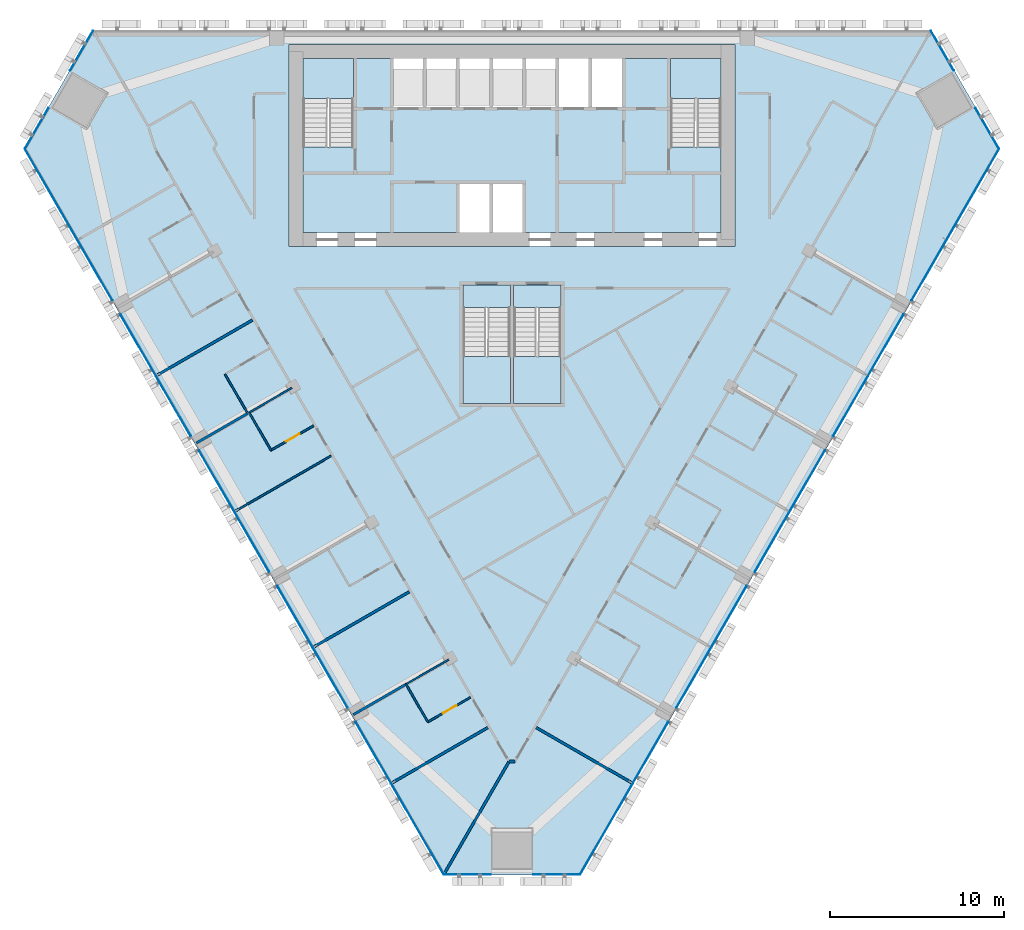
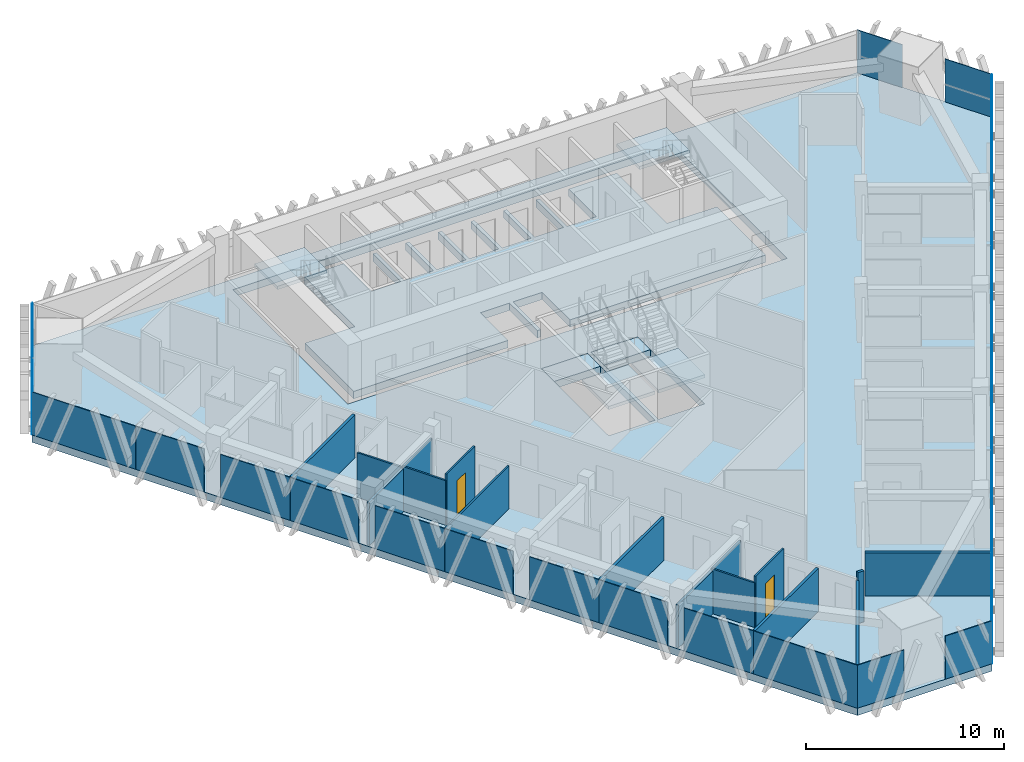
# One storey, part 8 of 16: 26 plates, 16 walls, 8 slabs, 2 doors, 2 openings, 9 elements without a shape of their own.
"""IFC4 building model written with IfcOpenShell, lengths in metres."""

import ifcopenshell
import ifcopenshell.guid

model = None  # the IFC model being written
_history = None  # IfcOwnerHistory: only IFC2X3 demands one
_inside = {}  # id of a spatial element -> (the spatial element, [elements in it])
_under = {}  # id of a project, library or spatial element -> (it, [spatial elements below it])
_declared = {}  # id of a project -> (the project, [libraries it declares])
_typed = {}  # id of a type object -> (the type object, [elements of that type])
_made_of = {}  # id of a material, layer set ... -> (it, [elements and type objects made of it])


def new_model(schema):
    """Start an empty IFC model of exactly this schema.

    Asked for "IFC4X3", IfcOpenShell would pick the latest addendum, in which some entities
    have other attributes; the version numbers below select the first issue.
    IFC2X3 requires an IfcOwnerHistory on every rooted entity: one is made here for all.
    """
    global model, _history
    if schema == "IFC4X3":
        model = ifcopenshell.file(schema_version=(4, 3, 0, 0))
    else:
        model = ifcopenshell.file(schema=schema)
    _inside.clear()
    _under.clear()
    _declared.clear()
    _typed.clear()
    _made_of.clear()
    _history = None
    if model.schema == "IFC2X3":
        org = make("IfcOrganization", Name="unknown")
        user = make(
            "IfcPersonAndOrganization",
            ThePerson=make("IfcPerson", FamilyName="unknown"),
            TheOrganization=org,
        )
        app = make(
            "IfcApplication",
            ApplicationDeveloper=org,
            Version="unknown",
            ApplicationFullName="unknown",
            ApplicationIdentifier="unknown",
        )
        _history = make(
            "IfcOwnerHistory",
            OwningUser=user,
            OwningApplication=app,
            ChangeAction="ADDED",
            CreationDate=0,
        )
    return model


def make(cls, **values):
    """One entity of the class cls with the attributes given. An attribute that is None is left unset."""
    return model.create_entity(
        cls, **{name: value for name, value in values.items() if value is not None}
    )


def rooted(cls, **values):
    """An entity with a GlobalId (a new one), such as an element, a storey or a relation."""
    return make(cls, GlobalId=ifcopenshell.guid.new(), OwnerHistory=_history, **values)


def si_unit(unit_type, name, prefix=None):
    """IfcSIUnit, for example si_unit("LENGTHUNIT", "METRE", prefix="MILLI")."""
    return make("IfcSIUnit", UnitType=unit_type, Prefix=prefix, Name=name)


def assignment(units):
    """IfcUnitAssignment: the units of a project."""
    return None if units is None else make("IfcUnitAssignment", Units=units)


def point(xyz):
    """IfcCartesianPoint."""
    return None if xyz is None else make("IfcCartesianPoint", Coordinates=xyz)


def direction(xyz):
    """IfcDirection."""
    return None if xyz is None else make("IfcDirection", DirectionRatios=xyz)


def frame(location, z_axis=None, x_axis=None):
    """IfcAxis2Placement3D, a coordinate frame: its origin and axes. An axis left out is left unset."""
    return make(
        "IfcAxis2Placement3D",
        Location=point(location),
        Axis=direction(z_axis),
        RefDirection=direction(x_axis),
    )


def frame_2d(location, x_axis=None):
    """IfcAxis2Placement2D, a coordinate frame in the plane: its origin and x axis."""
    return make(
        "IfcAxis2Placement2D", Location=point(location), RefDirection=direction(x_axis)
    )


def origin():
    """The frame at (0, 0, 0) with its axes left unset."""
    return frame((0.0, 0.0, 0.0))


def origin_2d():
    """The frame at (0, 0) in the plane with its x axis left unset."""
    return frame_2d((0.0, 0.0))


def place(relative_to, where):
    """IfcLocalPlacement: puts the frame where relative to a parent placement (None: the world)."""
    return make(
        "IfcLocalPlacement", PlacementRelTo=relative_to, RelativePlacement=where
    )


def context(
    kind, dimensions, precision=None, world=None, true_north=None, identifier=None
):
    """IfcGeometricRepresentationContext, for example the 3D "Model" context."""
    return make(
        "IfcGeometricRepresentationContext",
        ContextIdentifier=identifier,
        ContextType=kind,
        CoordinateSpaceDimension=dimensions,
        Precision=precision,
        WorldCoordinateSystem=world,
        TrueNorth=true_north,
    )


def subcontext(parent, identifier, kind, view, scale=None):
    """IfcGeometricRepresentationSubContext, for example "Body" below "Model"."""
    return make(
        "IfcGeometricRepresentationSubContext",
        ContextIdentifier=identifier,
        ContextType=kind,
        ParentContext=parent,
        TargetScale=scale,
        TargetView=view,
    )


def project(units=None, contexts=None):
    """IfcProject with its units and contexts."""
    return rooted(
        "IfcProject",
        Name="project",
        RepresentationContexts=contexts,
        UnitsInContext=assignment(units),
    )


def spatial(cls, under=None, at=None, **own):
    """A site, building, storey or space (cls), placed at a placement, below another one or the project."""
    s = rooted(cls, ObjectPlacement=at, **own)
    if under is not None:
        _under.setdefault(under.id(), (under, []))[1].append(s)
    return s


def polyline(points):
    """IfcPolyline through the points."""
    return make("IfcPolyline", Points=[point(p) for p in points])


def profile(cls, at=None, kind="AREA", **sizes):
    """A parametric profile (cls). Its sizes go by their IFC names, for example OverallWidth=200.0."""
    return make(cls, ProfileType=kind, Position=at, **sizes)


def rectangle(**sizes):
    """IfcRectangleProfileDef."""
    return profile("IfcRectangleProfileDef", **sizes)


def outline(outer, holes=None, kind="AREA"):
    """IfcArbitraryClosedProfileDef: a profile drawn as a closed curve; with holes, ...WithVoids."""
    if holes is None:
        return make("IfcArbitraryClosedProfileDef", ProfileType=kind, OuterCurve=outer)
    return make(
        "IfcArbitraryProfileDefWithVoids",
        ProfileType=kind,
        OuterCurve=outer,
        InnerCurves=holes,
    )


def extrude(swept, where, along, depth):
    """IfcExtrudedAreaSolid: the profile swept, set in the frame where, extruded along a direction by depth."""
    return make(
        "IfcExtrudedAreaSolid",
        SweptArea=swept,
        Position=where,
        ExtrudedDirection=direction(along),
        Depth=depth,
    )


def shape(context_of_items, identifier, shape_type, items):
    """IfcShapeRepresentation: the items that make up one representation, for example the "Body"."""
    return make(
        "IfcShapeRepresentation",
        ContextOfItems=context_of_items,
        RepresentationIdentifier=identifier,
        RepresentationType=shape_type,
        Items=items,
    )


def material(Name=None, Category=None):
    """IfcMaterial."""
    return make("IfcMaterial", Name=Name, Category=Category)


def layer(
    of_material, thickness, ventilated=None, Name=None, Category=None, Priority=None
):
    """IfcMaterialLayer: one layer of a wall or slab, of a material (None: an air gap)."""
    return make(
        "IfcMaterialLayer",
        Material=of_material,
        LayerThickness=thickness,
        IsVentilated=ventilated,
        Name=Name,
        Category=Category,
        Priority=Priority,
    )


def layer_set(layers, Name=None):
    """IfcMaterialLayerSet."""
    return make("IfcMaterialLayerSet", MaterialLayers=layers, LayerSetName=Name)


def made_of(thing, what):
    """Note that an element or type object is made of a material, layer set ...; save() writes the relation."""
    if what is not None:
        _made_of.setdefault(what.id(), (what, []))[1].append(thing)
    return thing


def type_object(cls, material=None, **own):
    """A type object (cls), such as IfcWallType, which elements share."""
    return made_of(rooted(cls, **own), material)


def element(
    cls,
    number,
    at=None,
    inside=None,
    cuts=None,
    type_object=None,
    material=None,
    context=None,
    identifier="Body",
    shape_type=None,
    held_by="IfcProductDefinitionShape",
    body=None,
    shapes=None,
    **own,
):
    """One element of the class cls, such as IfcWall. Its Tag is "e" and its number.

    at: its placement. inside: the storey or other place that contains it. cuts: it is an
    opening in that element (IfcRelVoidsElement). A single representation is given by context,
    identifier, shape_type and body (its items); several are given by shapes. held_by: the class
    of the entity that holds the representations. save() writes the other relations.
    """
    e = rooted(cls, Tag="e%d" % number, ObjectPlacement=at, **own)
    if body is not None:
        shapes = [shape(context, identifier, shape_type, body)]
    if shapes is not None:
        e.Representation = make(held_by, Representations=shapes)
    if inside is not None:
        _inside.setdefault(inside.id(), (inside, []))[1].append(e)
    if cuts is not None:
        rooted(
            "IfcRelVoidsElement", RelatingBuildingElement=cuts, RelatedOpeningElement=e
        )
    if type_object is not None:
        _typed.setdefault(type_object.id(), (type_object, []))[1].append(e)
    return made_of(e, material)


def fill(opening, filler):
    """IfcRelFillsElement: the door or window that sits in an opening."""
    return rooted(
        "IfcRelFillsElement",
        RelatingOpeningElement=opening,
        RelatedBuildingElement=filler,
    )


def aggregate(whole, parts):
    """IfcRelAggregates: a whole, such as a stair, and the parts it consists of."""
    return rooted("IfcRelAggregates", RelatingObject=whole, RelatedObjects=parts)


def save(model, path):
    """Write the relations noted so far, then the file.

    IfcRelAggregates (storeys below a building ...), IfcRelContainedInSpatialStructure (elements
    in a storey), IfcRelDefinesByType, IfcRelAssociatesMaterial and IfcRelDeclares: one each for
    every whole, place, type object, material and project.
    """
    for whole, parts in _under.values():
        aggregate(whole, parts)
    for where, things in _inside.values():
        rooted(
            "IfcRelContainedInSpatialStructure",
            RelatedElements=things,
            RelatingStructure=where,
        )
    for kind, things in _typed.values():
        rooted("IfcRelDefinesByType", RelatedObjects=things, RelatingType=kind)
    for what, things in _made_of.values():
        rooted("IfcRelAssociatesMaterial", RelatedObjects=things, RelatingMaterial=what)
    for by, libraries in _declared.values():
        rooted("IfcRelDeclares", RelatingContext=by, RelatedDefinitions=libraries)
    model.write(path)


model = new_model("IFC4")

# Units and contexts
model_context = context("Model", 3, precision=1e-05, world=origin(), true_north=direction((0.0, 1.0)))
body_context = subcontext(model_context, "Body", "Model", "MODEL_VIEW")
ifc_project = project(units=[si_unit("LENGTHUNIT", "METRE"), si_unit("AREAUNIT", "SQUARE_METRE"), si_unit("VOLUMEUNIT", "CUBIC_METRE"), si_unit("PLANEANGLEUNIT", "RADIAN"), si_unit("MASSUNIT", "GRAM", prefix="KILO")], contexts=[model_context])

# Site, building, storey
site_placement = place(None, origin())
site = spatial("IfcSite", under=ifc_project, at=site_placement, CompositionType="ELEMENT")
building_placement = place(site_placement, origin())
building = spatial("IfcBuilding", under=site, at=building_placement, Name="Altiplano Prism Tower", CompositionType="ELEMENT")
storey_placement = place(building_placement, frame((0.0, 0.0, 127.800048828125)))
storey = spatial("IfcBuildingStorey", under=building, at=storey_placement, Name="L32", CompositionType="ELEMENT", Elevation=127.800048828125)

# Curtain wall, plates
ifc_material_1 = material(Name="Aluminium and glass", Category="aluminium")
ifc_layer_1 = layer(ifc_material_1, 0.280029296875)
ifc_layer_set_1 = layer_set([ifc_layer_1], Name="Aluminium and glass")
curtain_wall_type = type_object("IfcCurtainWallType", Name="CW1 typical co-living unitised curtain wall", PredefinedType="NOTDEFINED", material=ifc_layer_set_1)
curtain_wall_1_placement = place(storey_placement, origin())
curtain_wall_1 = element("IfcCurtainWall", 1, at=curtain_wall_1_placement, inside=storey, type_object=curtain_wall_type, Name="CW1 curtain wall north-west chamfer L32", PredefinedType="NOTDEFINED")
ifc_material_2 = material(Name="Clear glass", Category="glass")
ifc_layer_2 = layer(ifc_material_2, 0.0400390625)
ifc_layer_set_2 = layer_set([ifc_layer_2], Name="Clear glass")
plate_type = type_object("IfcPlateType", Name="CW1 insulated glass unit 40", PredefinedType="CURTAIN_PANEL", material=ifc_layer_set_2)
plate_1_placement = place(storey_placement, frame((60.307861328125, 103.845703125, 0.0), z_axis=(0.0, 0.0, 1.0), x_axis=(-0.499999999804, -0.866025403898, 0.0)))
plate_1 = element("IfcPlate", 2, at=plate_1_placement, type_object=plate_type, Name="CW1 panel", PredefinedType="CURTAIN_PANEL", context=body_context, shape_type="SweptSolid", body=[
    extrude(rectangle(XDim=2.632568359375, YDim=0.0400390625, at=origin_2d()), origin(), (0.0, 0.0, 1.0), 2.64990234375),
])
plate_2_placement = place(storey_placement, frame((57.726806640625, 99.375, 0.0), z_axis=(0.0, 0.0, 1.0), x_axis=(-0.499999999804, -0.866025403898, 0.0)))
plate_2 = element("IfcPlate", 3, at=plate_2_placement, type_object=plate_type, Name="CW1 panel", PredefinedType="CURTAIN_PANEL", context=body_context, shape_type="SweptSolid", body=[
    extrude(rectangle(XDim=2.71240234375, YDim=0.0400390625, at=origin_2d()), origin(), (0.0, 0.0, 1.0), 2.64990234375),
])
aggregate(curtain_wall_1, [plate_1, plate_2])

curtain_wall_2_placement = place(storey_placement, origin())
curtain_wall_2 = element("IfcCurtainWall", 4, at=curtain_wall_2_placement, inside=storey, type_object=curtain_wall_type, Name="CW1 curtain wall south-west face L32", PredefinedType="NOTDEFINED")
plate_3_placement = place(storey_placement, frame((58.558349609375, 95.596923828125, 0.0), z_axis=(0.0, 0.0, 1.0), x_axis=(0.500000000438, -0.866025403531, 0.0)))
plate_3 = element("IfcPlate", 5, at=plate_3_placement, type_object=plate_type, Name="CW1 panel", PredefinedType="CURTAIN_PANEL", context=body_context, shape_type="SweptSolid", body=[
    extrude(rectangle(XDim=6.038818359375, YDim=0.0400390625, at=origin_2d()), origin(), (0.0, 0.0, 1.0), 2.64990234375),
])
plate_4_placement = place(storey_placement, frame((61.0693359375, 91.24755859375, 0.0), z_axis=(0.0, 0.0, 1.0), x_axis=(0.500000000438, -0.866025403531, 0.0)))
plate_4 = element("IfcPlate", 6, at=plate_4_placement, type_object=plate_type, Name="CW1 panel", PredefinedType="CURTAIN_PANEL", context=body_context, shape_type="SweptSolid", body=[
    extrude(rectangle(XDim=3.985595703125, YDim=0.0400390625, at=origin_2d()), origin(), (0.0, 0.0, 1.0), 2.64990234375),
])
plate_5_placement = place(storey_placement, frame((63.552001953125, 86.94775390625, 0.0), z_axis=(0.0, 0.0, 1.0), x_axis=(0.500000000438, -0.866025403531, 0.0)))
plate_5 = element("IfcPlate", 7, at=plate_5_placement, type_object=plate_type, Name="CW1 panel", PredefinedType="CURTAIN_PANEL", context=body_context, shape_type="SweptSolid", body=[
    extrude(rectangle(XDim=4.064453125, YDim=0.0400390625, at=origin_2d()), origin(), (0.0, 0.0, 1.0), 2.64990234375),
])
plate_6_placement = place(storey_placement, frame((65.5693359375, 83.453369140625, 0.0), z_axis=(0.0, 0.0, 1.0), x_axis=(0.500000000438, -0.866025403531, 0.0)))
plate_6 = element("IfcPlate", 8, at=plate_6_placement, type_object=plate_type, Name="CW1 panel", PredefinedType="CURTAIN_PANEL", context=body_context, shape_type="SweptSolid", body=[
    extrude(rectangle(XDim=3.985595703125, YDim=0.0400390625, at=origin_2d()), origin(), (0.0, 0.0, 1.0), 2.64990234375),
])
plate_7_placement = place(storey_placement, frame((68.052001953125, 79.153564453125, 0.0), z_axis=(0.0, 0.0, 1.0), x_axis=(0.500000000438, -0.866025403531, 0.0)))
plate_7 = element("IfcPlate", 9, at=plate_7_placement, type_object=plate_type, Name="CW1 panel", PredefinedType="CURTAIN_PANEL", context=body_context, shape_type="SweptSolid", body=[
    extrude(rectangle(XDim=4.064453125, YDim=0.0400390625, at=origin_2d()), origin(), (0.0, 0.0, 1.0), 2.64990234375),
])
plate_8_placement = place(storey_placement, frame((70.0693359375, 75.6591796875, 0.0), z_axis=(0.0, 0.0, 1.0), x_axis=(0.500000000438, -0.866025403531, 0.0)))
plate_8 = element("IfcPlate", 10, at=plate_8_placement, type_object=plate_type, Name="CW1 panel", PredefinedType="CURTAIN_PANEL", context=body_context, shape_type="SweptSolid", body=[
    extrude(rectangle(XDim=3.985595703125, YDim=0.0400390625, at=origin_2d()), origin(), (0.0, 0.0, 1.0), 2.64990234375),
])
plate_9_placement = place(storey_placement, frame((72.552001953125, 71.359375, 0.0), z_axis=(0.0, 0.0, 1.0), x_axis=(0.500000000438, -0.866025403531, 0.0)))
plate_9 = element("IfcPlate", 11, at=plate_9_placement, type_object=plate_type, Name="CW1 panel", PredefinedType="CURTAIN_PANEL", context=body_context, shape_type="SweptSolid", body=[
    extrude(rectangle(XDim=4.064453125, YDim=0.0400390625, at=origin_2d()), origin(), (0.0, 0.0, 1.0), 2.64990234375),
])
plate_10_placement = place(storey_placement, frame((74.5693359375, 67.864990234375, 0.0), z_axis=(0.0, 0.0, 1.0), x_axis=(0.500000000438, -0.866025403531, 0.0)))
plate_10 = element("IfcPlate", 12, at=plate_10_placement, type_object=plate_type, Name="CW1 panel", PredefinedType="CURTAIN_PANEL", context=body_context, shape_type="SweptSolid", body=[
    extrude(rectangle(XDim=3.985595703125, YDim=0.0400390625, at=origin_2d()), origin(), (0.0, 0.0, 1.0), 2.64990234375),
])
plate_11_placement = place(storey_placement, frame((77.052001953125, 63.565185546875, 0.0), z_axis=(0.0, 0.0, 1.0), x_axis=(0.500000000438, -0.866025403531, 0.0)))
plate_11 = element("IfcPlate", 13, at=plate_11_placement, type_object=plate_type, Name="CW1 panel", PredefinedType="CURTAIN_PANEL", context=body_context, shape_type="SweptSolid", body=[
    extrude(rectangle(XDim=4.064453125, YDim=0.0400390625, at=origin_2d()), origin(), (0.0, 0.0, 1.0), 2.64990234375),
])
plate_12_placement = place(storey_placement, frame((79.582763671875, 59.181640625, 0.0), z_axis=(0.0, 0.0, 1.0), x_axis=(0.500000000438, -0.866025403531, 0.0)))
plate_12 = element("IfcPlate", 14, at=plate_12_placement, type_object=plate_type, Name="CW1 panel", PredefinedType="CURTAIN_PANEL", context=body_context, shape_type="SweptSolid", body=[
    extrude(rectangle(XDim=6.038818359375, YDim=0.0400390625, at=origin_2d()), origin(), (0.0, 0.0, 1.0), 2.64990234375),
])
aggregate(curtain_wall_2, [plate_3, plate_4, plate_5, plate_6, plate_7, plate_8, plate_9, plate_10, plate_11, plate_12])

curtain_wall_3_placement = place(storey_placement, origin())
curtain_wall_3 = element("IfcCurtainWall", 15, at=curtain_wall_3_placement, inside=storey, type_object=curtain_wall_type, Name="CW1 curtain wall south chamfer L32", PredefinedType="NOTDEFINED")
plate_13_placement = place(storey_placement, frame((82.438720703125, 56.572509765625, 0.0), z_axis=(0.0, 0.0, 1.0), x_axis=(1.0, 0.0, 0.0)))
plate_13 = element("IfcPlate", 16, at=plate_13_placement, type_object=plate_type, Name="CW1 panel", PredefinedType="CURTAIN_PANEL", context=body_context, shape_type="SweptSolid", body=[
    extrude(rectangle(XDim=2.71240234375, YDim=0.0400390625, at=origin_2d()), origin(), (0.0, 0.0, 1.0), 2.64990234375),
])
plate_14_placement = place(storey_placement, frame((87.561279296875, 56.572509765625, 0.0), z_axis=(0.0, 0.0, 1.0), x_axis=(1.0, 0.0, 0.0)))
plate_14 = element("IfcPlate", 17, at=plate_14_placement, type_object=plate_type, Name="CW1 panel", PredefinedType="CURTAIN_PANEL", context=body_context, shape_type="SweptSolid", body=[
    extrude(rectangle(XDim=2.71240234375, YDim=0.0400390625, at=origin_2d()), origin(), (0.0, 0.0, 1.0), 2.64990234375),
])
aggregate(curtain_wall_3, [plate_13, plate_14])

curtain_wall_4_placement = place(storey_placement, origin())
curtain_wall_4 = element("IfcCurtainWall", 18, at=curtain_wall_4_placement, inside=storey, type_object=curtain_wall_type, Name="CW1 curtain wall south-east face L32", PredefinedType="NOTDEFINED")
plate_15_placement = place(storey_placement, frame((90.417236328125, 59.181640625, 0.0), z_axis=(0.0, 0.0, 1.0), x_axis=(0.500000000438, 0.866025403531, 0.0)))
plate_15 = element("IfcPlate", 19, at=plate_15_placement, type_object=plate_type, Name="CW1 panel", PredefinedType="CURTAIN_PANEL", context=body_context, shape_type="SweptSolid", body=[
    extrude(rectangle(XDim=6.038818359375, YDim=0.0400390625, at=origin_2d()), origin(), (0.0, 0.0, 1.0), 2.64990234375),
])
plate_16_placement = place(storey_placement, frame((92.947998046875, 63.565185546875, 0.0), z_axis=(0.0, 0.0, 1.0), x_axis=(0.500000000438, 0.866025403531, 0.0)))
plate_16 = element("IfcPlate", 20, at=plate_16_placement, type_object=plate_type, Name="CW1 panel", PredefinedType="CURTAIN_PANEL", context=body_context, shape_type="SweptSolid", body=[
    extrude(rectangle(XDim=4.064453125, YDim=0.0400390625, at=origin_2d()), origin(), (0.0, 0.0, 1.0), 2.64990234375),
])
plate_17_placement = place(storey_placement, frame((95.4306640625, 67.864990234375, 0.0), z_axis=(0.0, 0.0, 1.0), x_axis=(0.500000000438, 0.866025403531, 0.0)))
plate_17 = element("IfcPlate", 21, at=plate_17_placement, type_object=plate_type, Name="CW1 panel", PredefinedType="CURTAIN_PANEL", context=body_context, shape_type="SweptSolid", body=[
    extrude(rectangle(XDim=3.985595703125, YDim=0.0400390625, at=origin_2d()), origin(), (0.0, 0.0, 1.0), 2.64990234375),
])
plate_18_placement = place(storey_placement, frame((97.447998046875, 71.359375, 0.0), z_axis=(0.0, 0.0, 1.0), x_axis=(0.500000000438, 0.866025403531, 0.0)))
plate_18 = element("IfcPlate", 22, at=plate_18_placement, type_object=plate_type, Name="CW1 panel", PredefinedType="CURTAIN_PANEL", context=body_context, shape_type="SweptSolid", body=[
    extrude(rectangle(XDim=4.064453125, YDim=0.0400390625, at=origin_2d()), origin(), (0.0, 0.0, 1.0), 2.64990234375),
])
plate_19_placement = place(storey_placement, frame((99.9306640625, 75.6591796875, 0.0), z_axis=(0.0, 0.0, 1.0), x_axis=(0.500000000438, 0.866025403531, 0.0)))
plate_19 = element("IfcPlate", 23, at=plate_19_placement, type_object=plate_type, Name="CW1 panel", PredefinedType="CURTAIN_PANEL", context=body_context, shape_type="SweptSolid", body=[
    extrude(rectangle(XDim=3.985595703125, YDim=0.0400390625, at=origin_2d()), origin(), (0.0, 0.0, 1.0), 2.64990234375),
])
plate_20_placement = place(storey_placement, frame((101.947998046875, 79.153564453125, 0.0), z_axis=(0.0, 0.0, 1.0), x_axis=(0.500000000438, 0.866025403531, 0.0)))
plate_20 = element("IfcPlate", 24, at=plate_20_placement, type_object=plate_type, Name="CW1 panel", PredefinedType="CURTAIN_PANEL", context=body_context, shape_type="SweptSolid", body=[
    extrude(rectangle(XDim=4.064453125, YDim=0.0400390625, at=origin_2d()), origin(), (0.0, 0.0, 1.0), 2.64990234375),
])
plate_21_placement = place(storey_placement, frame((104.4306640625, 83.453369140625, 0.0), z_axis=(0.0, 0.0, 1.0), x_axis=(0.500000000438, 0.866025403531, 0.0)))
plate_21 = element("IfcPlate", 25, at=plate_21_placement, type_object=plate_type, Name="CW1 panel", PredefinedType="CURTAIN_PANEL", context=body_context, shape_type="SweptSolid", body=[
    extrude(rectangle(XDim=3.985595703125, YDim=0.0400390625, at=origin_2d()), origin(), (0.0, 0.0, 1.0), 2.64990234375),
])
plate_22_placement = place(storey_placement, frame((106.447998046875, 86.94775390625, 0.0), z_axis=(0.0, 0.0, 1.0), x_axis=(0.500000000438, 0.866025403531, 0.0)))
plate_22 = element("IfcPlate", 26, at=plate_22_placement, type_object=plate_type, Name="CW1 panel", PredefinedType="CURTAIN_PANEL", context=body_context, shape_type="SweptSolid", body=[
    extrude(rectangle(XDim=4.064453125, YDim=0.0400390625, at=origin_2d()), origin(), (0.0, 0.0, 1.0), 2.64990234375),
])
plate_23_placement = place(storey_placement, frame((108.9306640625, 91.24755859375, 0.0), z_axis=(0.0, 0.0, 1.0), x_axis=(0.500000000438, 0.866025403531, 0.0)))
plate_23 = element("IfcPlate", 27, at=plate_23_placement, type_object=plate_type, Name="CW1 panel", PredefinedType="CURTAIN_PANEL", context=body_context, shape_type="SweptSolid", body=[
    extrude(rectangle(XDim=3.985595703125, YDim=0.0400390625, at=origin_2d()), origin(), (0.0, 0.0, 1.0), 2.64990234375),
])
plate_24_placement = place(storey_placement, frame((111.441650390625, 95.596923828125, 0.0), z_axis=(0.0, 0.0, 1.0), x_axis=(0.500000000438, 0.866025403531, 0.0)))
plate_24 = element("IfcPlate", 28, at=plate_24_placement, type_object=plate_type, Name="CW1 panel", PredefinedType="CURTAIN_PANEL", context=body_context, shape_type="SweptSolid", body=[
    extrude(rectangle(XDim=6.038818359375, YDim=0.0400390625, at=origin_2d()), origin(), (0.0, 0.0, 1.0), 2.64990234375),
])
aggregate(curtain_wall_4, [plate_15, plate_16, plate_17, plate_18, plate_19, plate_20, plate_21, plate_22, plate_23, plate_24])

curtain_wall_5_placement = place(storey_placement, origin())
curtain_wall_5 = element("IfcCurtainWall", 29, at=curtain_wall_5_placement, inside=storey, type_object=curtain_wall_type, Name="CW1 curtain wall north-east chamfer L32", PredefinedType="NOTDEFINED")
plate_25_placement = place(storey_placement, frame((112.273193359375, 99.375, 0.0), z_axis=(0.0, 0.0, 1.0), x_axis=(-0.499999999804, 0.866025403898, 0.0)))
plate_25 = element("IfcPlate", 30, at=plate_25_placement, type_object=plate_type, Name="CW1 panel", PredefinedType="CURTAIN_PANEL", context=body_context, shape_type="SweptSolid", body=[
    extrude(rectangle(XDim=2.71240234375, YDim=0.0400390625, at=origin_2d()), origin(), (0.0, 0.0, 1.0), 2.64990234375),
])
plate_26_placement = place(storey_placement, frame((109.692138671875, 103.845703125, 0.0), z_axis=(0.0, 0.0, 1.0), x_axis=(-0.499999999804, 0.866025403898, 0.0)))
plate_26 = element("IfcPlate", 31, at=plate_26_placement, type_object=plate_type, Name="CW1 panel", PredefinedType="CURTAIN_PANEL", context=body_context, shape_type="SweptSolid", body=[
    extrude(rectangle(XDim=2.632568359375, YDim=0.0400390625, at=origin_2d()), origin(), (0.0, 0.0, 1.0), 2.64990234375),
])
aggregate(curtain_wall_5, [plate_25, plate_26])

# Slabs
ifc_material_3 = material(Name="Concrete C40/50", Category="concrete")
ifc_layer_3 = layer(ifc_material_3, 0.449951171875)
ifc_layer_set_3 = layer_set([ifc_layer_3], Name="Concrete C40/50")
slab_type_1 = type_object("IfcSlabType", Name="Core floor slab 450", PredefinedType="FLOOR", material=ifc_layer_set_3)
slab_1_placement = place(storey_placement, frame((0.0, 0.0, -0.449951171875)))
element("IfcSlab", 32, at=slab_1_placement, inside=storey, type_object=slab_type_1, Name="Core floor slab L32", PredefinedType="FLOOR", context=body_context, shape_type="SweptSolid", body=[
    extrude(outline(polyline([(97.0, 98.31005859375), (94.10009765625, 98.31005859375), (94.10009765625, 103.39990234375), (91.300048828125, 103.39990234375), (91.300048828125, 100.60009765625), (89.60009765625, 100.60009765625), (89.60009765625, 103.39990234375), (89.39990234375, 103.39990234375), (89.39990234375, 100.60009765625), (87.699951171875, 100.60009765625), (87.699951171875, 103.39990234375), (87.5, 103.39990234375), (87.5, 100.60009765625), (85.800048828125, 100.60009765625), (85.800048828125, 103.39990234375), (85.60009765625, 103.39990234375), (85.60009765625, 100.60009765625), (83.89990234375, 100.60009765625), (83.89990234375, 103.39990234375), (83.699951171875, 103.39990234375), (83.699951171875, 100.60009765625), (82.0, 100.60009765625), (82.0, 103.39990234375), (81.800048828125, 103.39990234375), (81.800048828125, 100.60009765625), (80.10009765625, 100.60009765625), (80.10009765625, 103.39990234375), (79.89990234375, 103.39990234375), (79.89990234375, 100.60009765625), (78.199951171875, 100.60009765625), (78.199951171875, 103.39990234375), (75.89990234375, 103.39990234375), (75.89990234375, 98.31005859375), (73.0, 98.31005859375), (73.0, 93.39990234375), (82.0, 93.39990234375), (82.0, 96.199951171875), (83.699951171875, 96.199951171875), (83.699951171875, 93.39990234375), (83.89990234375, 93.39990234375), (83.89990234375, 96.199951171875), (85.60009765625, 96.199951171875), (85.60009765625, 93.39990234375), (97.0, 93.39990234375), (97.0, 98.31005859375)])), origin(), (0.0, 0.0, 1.0), 0.449951171875),
])
slab_2_placement = place(storey_placement, frame((0.0, 0.0, -0.449951171875)))
element("IfcSlab", 33, at=slab_2_placement, inside=storey, type_object=slab_type_1, Name="Stair 3A landing slab L32", PredefinedType="FLOOR", context=body_context, shape_type="SweptSolid", body=[
    extrude(outline(polyline([(82.199951171875, 89.096923828125), (84.89990234375, 89.096923828125), (84.89990234375, 90.39990234375), (82.199951171875, 90.39990234375), (82.199951171875, 89.096923828125)])), origin(), (0.0, 0.0, 1.0), 0.449951171875),
])
slab_3_placement = place(storey_placement, frame((0.0, 0.0, -0.449951171875)))
element("IfcSlab", 34, at=slab_3_placement, inside=storey, type_object=slab_type_1, Name="Stair 3B landing slab L32", PredefinedType="FLOOR", context=body_context, shape_type="SweptSolid", body=[
    extrude(outline(polyline([(85.10009765625, 89.096923828125), (87.800048828125, 89.096923828125), (87.800048828125, 90.39990234375), (85.10009765625, 90.39990234375), (85.10009765625, 89.096923828125)])), origin(), (0.0, 0.0, 1.0), 0.449951171875),
])
ifc_layer_4 = layer(ifc_material_3, 0.449951171875)
ifc_layer_set_4 = layer_set([ifc_layer_4], Name="Concrete C40/50")
slab_type_2 = type_object("IfcSlabType", Name="Post-tensioned flat slab 450", PredefinedType="FLOOR", material=ifc_layer_set_4)
slab_4_placement = place(storey_placement, frame((0.0, 0.0, -0.449951171875)))
element("IfcSlab", 35, at=slab_4_placement, inside=storey, type_object=slab_type_2, Name="Floor slab L32", PredefinedType="FLOOR", context=body_context, shape_type="SweptSolid", body=[
    extrude(outline(polyline([(81.07763671875, 56.552490234375), (57.02880859375, 98.2060546875), (60.951171875, 105.0), (109.048828125, 105.0), (112.97119140625, 98.2060546875), (88.92236328125, 56.552490234375), (81.07763671875, 56.552490234375)]), holes=[polyline([(72.199951171875, 104.199951171875), (72.199951171875, 92.60009765625), (97.800048828125, 92.60009765625), (97.800048828125, 104.199951171875), (72.199951171875, 104.199951171875)]), polyline([(84.89990234375, 90.39990234375), (82.199951171875, 90.39990234375), (82.199951171875, 83.60009765625), (84.89990234375, 83.60009765625), (84.89990234375, 90.39990234375)]), polyline([(87.800048828125, 83.60009765625), (87.800048828125, 90.39990234375), (85.10009765625, 90.39990234375), (85.10009765625, 83.60009765625), (87.800048828125, 83.60009765625)])]), origin(), (0.0, 0.0, 1.0), 0.449951171875),
])

# Stair, slab
stair_type_1 = type_object("IfcStairType", Name="Exit stair 1400", PredefinedType="HALF_TURN_STAIR", material=ifc_material_3)
stair_1_placement = place(storey_placement, origin())
stair_1 = element("IfcStair", 36, at=stair_1_placement, inside=storey, type_object=stair_type_1, Name="L32 Exit Stair 1", PredefinedType="HALF_TURN_STAIR")
ifc_layer_5 = layer(ifc_material_3, 0.199951171875)
ifc_layer_set_5 = layer_set([ifc_layer_5], Name="Concrete C40/50")
slab_type_3 = type_object("IfcSlabType", Name="Stair landing 200", PredefinedType="LANDING", material=ifc_layer_set_5)
slab_5_placement = place(storey_placement, frame((0.0, 0.0, 1.599853515625)))
slab_5 = element("IfcSlab", 37, at=slab_5_placement, type_object=slab_type_3, Name="ST1 landing 1", PredefinedType="LANDING", context=body_context, shape_type="SweptSolid", body=[
    extrude(outline(polyline([(75.89990234375, 101.096923828125), (75.89990234375, 103.39990234375), (73.0, 103.39990234375), (73.0, 101.096923828125), (75.89990234375, 101.096923828125)])), origin(), (0.0, 0.0, 1.0), 0.2001953125),
])
aggregate(stair_1, [slab_5])

stair_2_placement = place(storey_placement, origin())
stair_2 = element("IfcStair", 38, at=stair_2_placement, inside=storey, type_object=stair_type_1, Name="L32 Exit Stair 2", PredefinedType="HALF_TURN_STAIR")
slab_6_placement = place(storey_placement, frame((0.0, 0.0, 1.599853515625)))
slab_6 = element("IfcSlab", 39, at=slab_6_placement, type_object=slab_type_3, Name="ST2 landing 1", PredefinedType="LANDING", context=body_context, shape_type="SweptSolid", body=[
    extrude(outline(polyline([(97.0, 101.096923828125), (97.0, 103.39990234375), (94.10009765625, 103.39990234375), (94.10009765625, 101.096923828125), (97.0, 101.096923828125)])), origin(), (0.0, 0.0, 1.0), 0.2001953125),
])
aggregate(stair_2, [slab_6])

stair_type_2 = type_object("IfcStairType", Name="Exit stair 1300", PredefinedType="HALF_TURN_STAIR", material=ifc_material_3)
stair_3_placement = place(storey_placement, origin())
stair_3 = element("IfcStair", 40, at=stair_3_placement, inside=storey, type_object=stair_type_2, Name="L32 Exit Stair 3A", PredefinedType="HALF_TURN_STAIR")
slab_7_placement = place(storey_placement, frame((0.0, 0.0, 1.599853515625)))
slab_7 = element("IfcSlab", 41, at=slab_7_placement, type_object=slab_type_3, Name="ST3A landing 1", PredefinedType="LANDING", context=body_context, shape_type="SweptSolid", body=[
    extrude(outline(polyline([(82.199951171875, 86.302978515625), (82.199951171875, 83.60009765625), (84.89990234375, 83.60009765625), (84.89990234375, 86.302978515625), (82.199951171875, 86.302978515625)])), origin(), (0.0, 0.0, 1.0), 0.2001953125),
])
aggregate(stair_3, [slab_7])

stair_4_placement = place(storey_placement, origin())
stair_4 = element("IfcStair", 42, at=stair_4_placement, inside=storey, type_object=stair_type_2, Name="L32 Exit Stair 3B", PredefinedType="HALF_TURN_STAIR")
slab_8_placement = place(storey_placement, frame((0.0, 0.0, 1.599853515625)))
slab_8 = element("IfcSlab", 43, at=slab_8_placement, type_object=slab_type_3, Name="ST3B landing 1", PredefinedType="LANDING", context=body_context, shape_type="SweptSolid", body=[
    extrude(outline(polyline([(85.10009765625, 86.302978515625), (85.10009765625, 83.60009765625), (87.800048828125, 83.60009765625), (87.800048828125, 86.302978515625), (85.10009765625, 86.302978515625)])), origin(), (0.0, 0.0, 1.0), 0.2001953125),
])
aggregate(stair_4, [slab_8])

# Wall
ifc_material_4 = material(Name="Plasterboard on steel stud", Category="steel")
ifc_layer_6 = layer(ifc_material_4, 0.10009765625)
ifc_layer_set_6 = layer_set([ifc_layer_6], Name="Plasterboard on steel stud")
wall_type_1 = type_object("IfcWallType", Name="Partition 100 unit", PredefinedType="PARTITIONING", material=ifc_layer_set_6)
wall_1_placement = place(storey_placement, frame((69.796875, 83.09130859375, 0.0), z_axis=(0.0, 0.0, 1.0), x_axis=(-0.500048846702, 0.865997200291, 0.0)))
element("IfcWall", 44, at=wall_1_placement, inside=storey, type_object=wall_type_1, Name="Partition P02 L32 040", PredefinedType="PARTITIONING", context=body_context, shape_type="SweptSolid", body=[
    extrude(rectangle(XDim=2.525146484375, YDim=0.10009765625, at=frame_2d((1.2626953125, 0.0))), origin(), (0.0, 0.0, 1.0), 2.75),
])

# Wall, opening, door
wall_2_placement = place(storey_placement, frame((73.617431640625, 82.32373046875, 0.0), z_axis=(0.0, 0.0, 1.0), x_axis=(-0.866048868473, -0.499959355765, 0.0)))
wall_2 = element("IfcWall", 45, at=wall_2_placement, inside=storey, type_object=wall_type_1, Name="Partition P02 L32 044", PredefinedType="PARTITIONING", context=body_context, shape_type="SweptSolid", body=[
    extrude(rectangle(XDim=2.824951171875, YDim=0.10009765625, at=frame_2d((1.41259765625, 0.0))), origin(), (0.0, 0.0, 1.0), 3.14990234375),
])
opening_1_placement = place(wall_2_placement, frame((0.925048828125, 0.0, 0.0)))
opening_1 = element("IfcOpeningElement", 46, at=opening_1_placement, cuts=wall_2, Name="Opening D1149", PredefinedType="OPENING", context=body_context, shape_type="SweptSolid", body=[
    extrude(rectangle(XDim=0.89990234375, YDim=2.10009765625, at=frame_2d((0.449951171875, 1.050048828125))), frame((0.0, 0.060546875, 0.0), z_axis=(0.0, -1.0, 0.0), x_axis=(1.0, 0.0, 0.0)), (0.0, 0.0, 1.0), 0.12109375),
])
ifc_material_5 = material(Name="Timber", Category="wood")
door_type = type_object("IfcDoorType", Name="Ensuite door 900 x 2100", OperationType="NOTDEFINED", PredefinedType="NOTDEFINED", material=ifc_material_5)
door_1_placement = place(opening_1_placement, origin())
door_1 = element("IfcDoor", 47, at=door_1_placement, inside=storey, type_object=door_type, Name="Door D1149", OperationType="SINGLE_SWING_LEFT", OverallHeight=2.10009765625, OverallWidth=0.89990234375, PredefinedType="NOTDEFINED", context=body_context, shape_type="SweptSolid", body=[
    extrude(rectangle(XDim=0.89990234375, YDim=2.10009765625, at=frame_2d((0.449951171875, 1.050048828125))), frame((0.0, 0.02490234375, 0.0), z_axis=(0.0, -1.0, 0.0), x_axis=(1.0, 0.0, 0.0)), (0.0, 0.0, 1.0), 0.050048828125),
])
fill(opening_1, door_1)

# Wall
wall_3_placement = place(storey_placement, frame((71.1708984375, 80.911376953125, 0.0), z_axis=(0.0, 0.0, 1.0), x_axis=(-0.500004234368, 0.866022959057, 0.0)))
element("IfcWall", 48, at=wall_3_placement, inside=storey, type_object=wall_type_1, Name="Partition P02 L32 045", PredefinedType="PARTITIONING", context=body_context, shape_type="SweptSolid", body=[
    extrude(rectangle(XDim=2.5, YDim=0.10009765625, at=frame_2d((1.25, 0.0))), origin(), (0.0, 0.0, 1.0), 2.75),
])

# Wall, opening, door
wall_4_placement = place(storey_placement, frame((82.617431640625, 66.7353515625, 0.0), z_axis=(0.0, 0.0, 1.0), x_axis=(-0.866048868473, -0.499959355765, 0.0)))
wall_4 = element("IfcWall", 49, at=wall_4_placement, inside=storey, type_object=wall_type_1, Name="Partition P02 L32 053", PredefinedType="PARTITIONING", context=body_context, shape_type="SweptSolid", body=[
    extrude(rectangle(XDim=2.824951171875, YDim=0.10009765625, at=frame_2d((1.41259765625, 0.0))), origin(), (0.0, 0.0, 1.0), 3.14990234375),
])
opening_2_placement = place(wall_4_placement, frame((0.925048828125, 0.0, 0.0)))
opening_2 = element("IfcOpeningElement", 50, at=opening_2_placement, cuts=wall_4, Name="Opening D1155", PredefinedType="OPENING", context=body_context, shape_type="SweptSolid", body=[
    extrude(rectangle(XDim=0.89990234375, YDim=2.10009765625, at=frame_2d((0.449951171875, 1.050048828125))), frame((0.0, 0.060546875, 0.0), z_axis=(0.0, -1.0, 0.0), x_axis=(1.0, 0.0, 0.0)), (0.0, 0.0, 1.0), 0.12109375),
])
door_2_placement = place(opening_2_placement, origin())
door_2 = element("IfcDoor", 51, at=door_2_placement, inside=storey, type_object=door_type, Name="Door D1155", OperationType="SINGLE_SWING_RIGHT", OverallHeight=2.10009765625, OverallWidth=0.89990234375, PredefinedType="NOTDEFINED", context=body_context, shape_type="SweptSolid", body=[
    extrude(rectangle(XDim=0.89990234375, YDim=2.10009765625, at=frame_2d((0.449951171875, 1.050048828125))), frame((0.0, 0.02490234375, 0.0), z_axis=(0.0, -1.0, 0.0), x_axis=(1.0, 0.0, 0.0)), (0.0, 0.0, 1.0), 0.050048828125),
])
fill(opening_2, door_2)

# Walls
wall_5_placement = place(storey_placement, frame((80.1708984375, 65.322998046875, 0.0), z_axis=(0.0, 0.0, 1.0), x_axis=(-0.500004234368, 0.866022959057, 0.0)))
element("IfcWall", 52, at=wall_5_placement, inside=storey, type_object=wall_type_1, Name="Partition P02 L32 054", PredefinedType="PARTITIONING", context=body_context, shape_type="SweptSolid", body=[
    extrude(rectangle(XDim=2.5, YDim=0.10009765625, at=frame_2d((1.25, 0.0))), origin(), (0.0, 0.0, 1.0), 2.75),
])
ifc_layer_7 = layer(ifc_material_4, 0.10009765625)
ifc_layer_set_7 = layer_set([ifc_layer_7], Name="Plasterboard on steel stud")
wall_type_2 = type_object("IfcWallType", Name="Partition 100 wet", PredefinedType="PARTITIONING", material=ifc_layer_set_7)
wall_6_placement = place(storey_placement, frame((69.9208984375, 83.076416015625, 0.0), z_axis=(0.0, 0.0, 1.0), x_axis=(0.866011447264, 0.500024172624, 0.0)))
element("IfcWall", 53, at=wall_6_placement, inside=storey, type_object=wall_type_2, Name="Partition P03 L32 043", PredefinedType="PARTITIONING", context=body_context, shape_type="SweptSolid", body=[
    extrude(rectangle(XDim=2.824951171875, YDim=0.10009765625, at=frame_2d((1.41259765625, 0.0))), origin(), (0.0, 0.0, 1.0), 2.75),
])
wall_7_placement = place(storey_placement, frame((69.122314453125, 77.419189453125, 0.0), z_axis=(0.0, 0.0, 1.0), x_axis=(0.866025401434, 0.500000004071, 0.0)))
element("IfcWall", 54, at=wall_7_placement, inside=storey, type_object=wall_type_2, Name="Partition P03 L32 046", PredefinedType="PARTITIONING", context=body_context, shape_type="SweptSolid", body=[
    extrude(rectangle(XDim=6.34521484375, YDim=0.10009765625, at=frame_2d((3.172607421875, 0.0))), origin(), (0.0, 0.0, 1.0), 2.64990234375),
])
wall_8_placement = place(storey_placement, frame((78.9208984375, 67.488037109375, 0.0), z_axis=(0.0, 0.0, 1.0), x_axis=(0.866048868473, 0.499959355765, 0.0)))
element("IfcWall", 55, at=wall_8_placement, inside=storey, type_object=wall_type_2, Name="Partition P03 L32 052", PredefinedType="PARTITIONING", context=body_context, shape_type="SweptSolid", body=[
    extrude(rectangle(XDim=2.824951171875, YDim=0.10009765625, at=frame_2d((1.41259765625, 0.0))), origin(), (0.0, 0.0, 1.0), 2.75),
])
ifc_layer_8 = layer(ifc_material_4, 0.14990234375)
ifc_layer_set_8 = layer_set([ifc_layer_8], Name="Plasterboard on steel stud")
wall_type_3 = type_object("IfcWallType", Name="Partition 150 corridor", PredefinedType="PARTITIONING", material=ifc_layer_set_8)
wall_9_placement = place(storey_placement, frame((84.830322265625, 63.052490234375, 0.0), z_axis=(0.0, 0.0, 1.0), x_axis=(1.0, 0.0, 0.0)))
element("IfcWall", 56, at=wall_9_placement, inside=storey, type_object=wall_type_3, Name="Partition P06 L32 006", PredefinedType="PARTITIONING", context=body_context, shape_type="SweptSolid", body=[
    extrude(rectangle(XDim=0.33935546875, YDim=0.14990234375, at=frame_2d((0.169677734375, 0.0))), origin(), (0.0, 0.0, 1.0), 3.14990234375),
])
ifc_layer_9 = layer(ifc_material_4, 0.14990234375)
ifc_layer_set_9 = layer_set([ifc_layer_9], Name="Plasterboard on steel stud")
wall_type_4 = type_object("IfcWallType", Name="Partition 150 party", PredefinedType="PARTITIONING", material=ifc_layer_set_9)
wall_10_placement = place(storey_placement, frame((64.622314453125, 85.21337890625, 0.0), z_axis=(0.0, 0.0, 1.0), x_axis=(0.866025401434, 0.500000004071, 0.0)))
element("IfcWall", 57, at=wall_10_placement, inside=storey, type_object=wall_type_4, Name="Partition P01 L32 039", PredefinedType="PARTITIONING", context=body_context, shape_type="SweptSolid", body=[
    extrude(rectangle(XDim=6.34521484375, YDim=0.14990234375, at=frame_2d((3.172607421875, 0.0))), origin(), (0.0, 0.0, 1.0), 2.64990234375),
])
wall_11_placement = place(storey_placement, frame((66.889892578125, 81.326416015625, 0.0), z_axis=(0.0, 0.0, 1.0), x_axis=(0.866020337685, 0.500008774639, 0.0)))
element("IfcWall", 58, at=wall_11_placement, inside=storey, type_object=wall_type_4, Name="Partition P01 L32 042", PredefinedType="PARTITIONING", context=body_context, shape_type="SweptSolid", body=[
    extrude(rectangle(XDim=3.419921875, YDim=0.14990234375, at=frame_2d((1.7099609375, 0.0))), origin(), (0.0, 0.0, 1.0), 2.64990234375),
])
wall_12_placement = place(storey_placement, frame((73.622314453125, 69.625, 0.0), z_axis=(0.0, 0.0, 1.0), x_axis=(0.866025401434, 0.500000004071, 0.0)))
element("IfcWall", 59, at=wall_12_placement, inside=storey, type_object=wall_type_4, Name="Partition P01 L32 050", PredefinedType="PARTITIONING", context=body_context, shape_type="SweptSolid", body=[
    extrude(rectangle(XDim=6.34521484375, YDim=0.14990234375, at=frame_2d((3.172607421875, 0.0))), origin(), (0.0, 0.0, 1.0), 2.64990234375),
])
wall_13_placement = place(storey_placement, frame((75.889892578125, 65.738037109375, 0.0), z_axis=(0.0, 0.0, 1.0), x_axis=(0.866019471182, 0.500010275428, 0.0)))
element("IfcWall", 60, at=wall_13_placement, inside=storey, type_object=wall_type_4, Name="Partition P01 L32 051", PredefinedType="PARTITIONING", context=body_context, shape_type="SweptSolid", body=[
    extrude(rectangle(XDim=3.5, YDim=0.14990234375, at=frame_2d((1.75, 0.0))), origin(), (0.0, 0.0, 1.0), 2.64990234375),
])
wall_14_placement = place(storey_placement, frame((78.122314453125, 61.830810546875, 0.0), z_axis=(0.0, 0.0, 1.0), x_axis=(0.866025401434, 0.500000004071, 0.0)))
element("IfcWall", 61, at=wall_14_placement, inside=storey, type_object=wall_type_4, Name="Partition P01 L32 055", PredefinedType="PARTITIONING", context=body_context, shape_type="SweptSolid", body=[
    extrude(rectangle(XDim=6.34521484375, YDim=0.14990234375, at=frame_2d((3.172607421875, 0.0))), origin(), (0.0, 0.0, 1.0), 2.64990234375),
])
wall_15_placement = place(storey_placement, frame((81.12060546875, 56.626953125, 0.0), z_axis=(0.0, 0.0, 1.0), x_axis=(0.499993047099, 0.866029418006, 0.0)))
element("IfcWall", 62, at=wall_15_placement, inside=storey, type_object=wall_type_4, Name="Partition P01 L32 056", PredefinedType="PARTITIONING", context=body_context, shape_type="SweptSolid", body=[
    extrude(rectangle(XDim=7.41943359375, YDim=0.14990234375, at=frame_2d((3.709716796875, 0.0))), origin(), (0.0, 0.0, 1.0), 2.64990234375),
])
wall_16_placement = place(storey_placement, frame((91.877685546875, 61.830810546875, 0.0), z_axis=(0.0, 0.0, 1.0), x_axis=(-0.866025401434, 0.500000004071, 0.0)))
element("IfcWall", 63, at=wall_16_placement, inside=storey, type_object=wall_type_4, Name="Partition P01 L32 057", PredefinedType="PARTITIONING", context=body_context, shape_type="SweptSolid", body=[
    extrude(rectangle(XDim=6.34521484375, YDim=0.14990234375, at=frame_2d((3.172607421875, 0.0))), origin(), (0.0, 0.0, 1.0), 2.64990234375),
])

save(model, "model.ifc")
